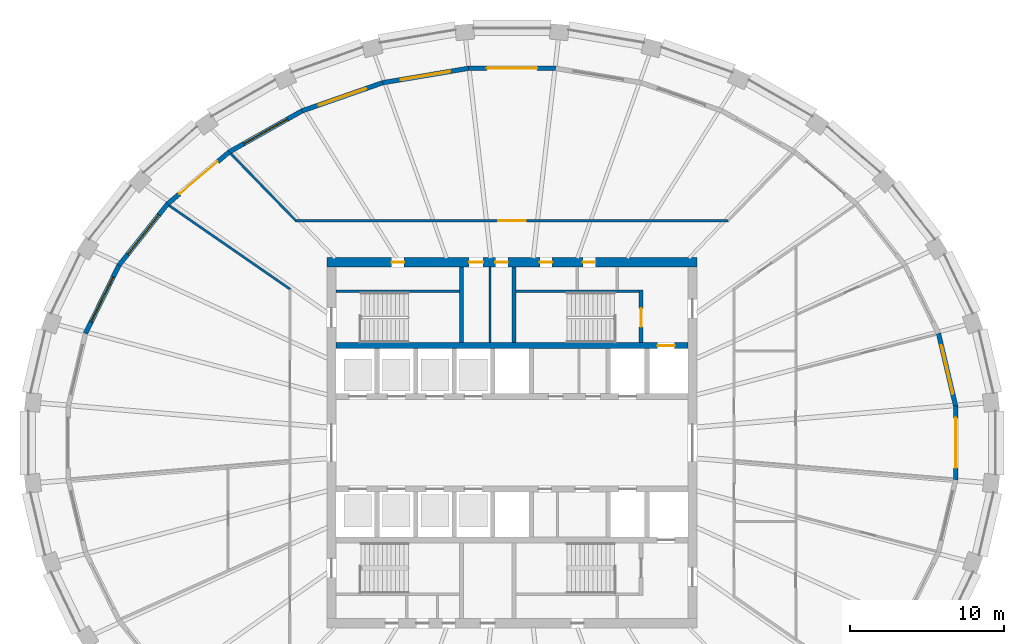
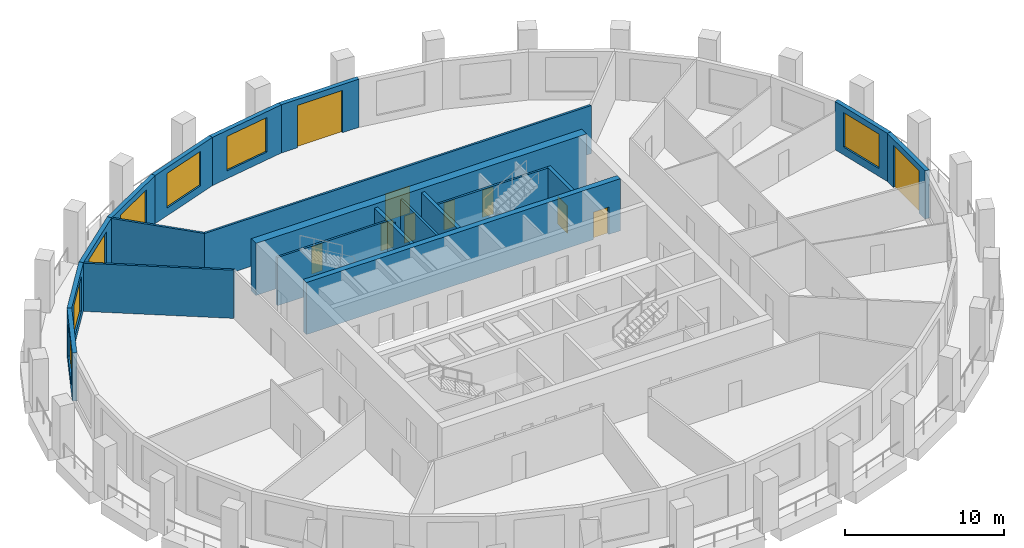
# One storey, part 6 of 11: 20 walls, 11 doors, 6 windows, 17 openings.
"""IFC4 building model written with IfcOpenShell, lengths in metres."""

from ifc_helpers import new_model, si_unit, direction, frame, frame_2d, origin, place, context, subcontext, project, spatial, polyline, rectangle, outline, extrude, material, layer, layer_set, type_object, element, fill, save


model = new_model("IFC4")

# Units and contexts
model_context = context("Model", 3, precision=1e-05, world=origin(), true_north=direction((0.0, 1.0)))
body_context = subcontext(model_context, "Body", "Model", "MODEL_VIEW")
ifc_project = project(units=[si_unit("LENGTHUNIT", "METRE"), si_unit("AREAUNIT", "SQUARE_METRE"), si_unit("VOLUMEUNIT", "CUBIC_METRE"), si_unit("PLANEANGLEUNIT", "RADIAN"), si_unit("MASSUNIT", "GRAM", prefix="KILO")], contexts=[model_context])

# Site, building, storey
site_placement = place(None, origin())
site = spatial("IfcSite", under=ifc_project, at=site_placement, CompositionType="ELEMENT")
building_placement = place(site_placement, origin())
building = spatial("IfcBuilding", under=site, at=building_placement, Name="Halqa Exchange Tower", CompositionType="ELEMENT")
storey_placement = place(building_placement, frame((0.0, 0.0, 234.89990234375)))
storey = spatial("IfcBuildingStorey", under=building, at=storey_placement, Name="L54", CompositionType="ELEMENT", Elevation=234.89990234375)

# Walls
ifc_material_1 = material(Name="Fire-rated gypsum board")
ifc_layer_1 = layer(ifc_material_1, 0.14990234375)
ifc_layer_set_1 = layer_set([ifc_layer_1], Name="Fire-rated gypsum board")
wall_type_1 = type_object("IfcWallType", Name="Fire partition EI 60 150", PredefinedType="PARTITIONING", material=ifc_layer_set_1)
wall_1_placement = place(storey_placement, frame((-18.242431640625, 18.746826171875, 0.0), z_axis=(0.0, 0.0, 1.0), x_axis=(0.697616683155, -0.716471188105, 0.0)))
element("IfcWall", 1, at=wall_1_placement, inside=storey, type_object=wall_type_1, Name="L54-PWL-004", PredefinedType="PARTITIONING", context=body_context, shape_type="SweptSolid", body=[
    extrude(outline(polyline([(0.0, -0.074951171875), (1.524658203125, -0.074951171875), (3.04931640625, -0.074951171875), (4.573974609375, -0.074951171875), (6.0986328125, -0.074951171875), (6.06689453125, 0.0), (6.035400390625, 0.074951171875), (4.532958984375, 0.074951171875), (3.030517578125, 0.074951171875), (1.52783203125, 0.074951171875), (0.025390625, 0.074951171875), (0.005126953125, -0.002197265625), (0.0, -0.07177734375), (0.0, -0.074951171875)])), origin(), (0.0, 0.0, 1.0), 3.7001953125),
])
wall_2_placement = place(storey_placement, frame((-14.36767578125, 9.947509765625, 0.0), z_axis=(0.0, 0.0, 1.0), x_axis=(-0.822511136101, 0.568749005265, 0.0)))
element("IfcWall", 2, at=wall_2_placement, inside=storey, type_object=wall_type_1, Name="L54-PWL-007", PredefinedType="PARTITIONING", context=body_context, shape_type="SweptSolid", body=[
    extrude(outline(polyline([(0.000244140625, -0.074951171875), (1.90673828125, -0.074951171875), (3.8134765625, -0.074951171875), (5.72021484375, -0.074951171875), (7.626708984375, -0.074951171875), (9.533447265625, -0.074951171875), (9.553955078125, 0.00048828125), (9.558349609375, 0.068603515625), (9.558349609375, 0.074951171875), (7.662353515625, 0.074951171875), (5.7666015625, 0.074951171875), (3.87060546875, 0.074951171875), (1.974609375, 0.074951171875), (0.07861328125, 0.074951171875), (0.07861328125, 0.074951171875), (0.07861328125, 0.074951171875), (0.039306640625, 0.0), (0.000244140625, -0.074951171875)])), origin(), (0.0, 0.0, 1.0), 3.7001953125),
])

# Wall, opening, door
wall_3_placement = place(storey_placement, frame((-14.041748046875, 14.39990234375, 0.0), z_axis=(0.0, 0.0, 1.0), x_axis=(1.0, 0.0, 0.0)))
wall_3 = element("IfcWall", 3, at=wall_3_placement, inside=storey, type_object=wall_type_1, Name="L54-PWL-010", PredefinedType="PARTITIONING", context=body_context, shape_type="SweptSolid", body=[
    extrude(outline(polyline([(0.0, -0.074951171875), (1.872314453125, -0.074951171875), (3.74462890625, -0.074951171875), (5.61669921875, -0.074951171875), (7.489013671875, -0.074951171875), (9.361083984375, -0.074951171875), (11.2333984375, -0.074951171875), (13.105712890625, -0.074951171875), (14.977783203125, -0.074951171875), (16.85009765625, -0.074951171875), (18.722412109375, -0.074951171875), (20.594482421875, -0.074951171875), (22.466796875, -0.074951171875), (24.3388671875, -0.074951171875), (26.211181640625, -0.074951171875), (28.08349609375, -0.074951171875), (28.020263671875, 0.074951171875), (26.023193359375, 0.074951171875), (24.0263671875, 0.074951171875), (22.029296875, 0.074951171875), (20.032470703125, 0.074951171875), (18.03564453125, 0.074951171875), (16.03857421875, 0.074951171875), (14.041748046875, 0.074951171875), (12.044921875, 0.074951171875), (10.0478515625, 0.074951171875), (8.051025390625, 0.074951171875), (6.05419921875, 0.074951171875), (4.05712890625, 0.074951171875), (2.060302734375, 0.074951171875), (0.063232421875, 0.074951171875), (0.0, -0.074951171875)])), origin(), (0.0, 0.0, 1.0), 3.7001953125),
])
opening_1_placement = place(wall_3_placement, frame((13.1416015625, 0.0, 0.0)))
opening_1 = element("IfcOpeningElement", 4, at=opening_1_placement, cuts=wall_3, Name="Opening 16-01", PredefinedType="OPENING", context=body_context, shape_type="SweptSolid", body=[
    extrude(rectangle(XDim=1.800048828125, YDim=2.10009765625, at=frame_2d((0.89990234375, 1.050048828125))), frame((0.0, 0.0869140625, 0.0), z_axis=(0.0, -1.0, 0.0), x_axis=(1.0, 0.0, 0.0)), (0.0, 0.0, 1.0), 0.173828125),
])
ifc_material_2 = material(Name="Steel fire door leaf", Category="steel")
door_type_1 = type_object("IfcDoorType", Name="Fire door FD30S double 1800 x 2100", OperationType="DOUBLE_DOOR_SINGLE_SWING", PredefinedType="DOOR", material=ifc_material_2)
door_1_placement = place(opening_1_placement, origin())
door_1 = element("IfcDoor", 5, at=door_1_placement, inside=storey, type_object=door_type_1, Name="L54-IDR-001", OperationType="DOUBLE_DOOR_SINGLE_SWING", OverallHeight=2.10009765625, OverallWidth=1.800048828125, PredefinedType="DOOR", context=body_context, shape_type="SweptSolid", body=[
    extrude(rectangle(XDim=1.800048828125, YDim=2.10009765625, at=frame_2d((0.89990234375, 1.050048828125))), frame((0.0, 0.02490234375, 0.0), z_axis=(0.0, -1.0, 0.0), x_axis=(1.0, 0.0, 0.0)), (0.0, 0.0, 1.0), 0.050048828125),
])
fill(opening_1, door_1)

# Wall
ifc_material_3 = material(Name="Gypsum board")
ifc_layer_2 = layer(ifc_material_3, 0.14990234375)
ifc_layer_set_2 = layer_set([ifc_layer_2], Name="Gypsum board")
wall_type_2 = type_object("IfcWallType", Name="Penthouse riser wall 150 gypsum", PredefinedType="PARTITIONING", material=ifc_layer_set_2)
wall_4_placement = place(storey_placement, frame((-1.425048828125, 6.5, 0.0), z_axis=(0.0, 0.0, 1.0), x_axis=(0.0, 1.0, 0.0)))
element("IfcWall", 6, at=wall_4_placement, inside=storey, type_object=wall_type_2, Name="Partition W1.425 N", PredefinedType="PARTITIONING", context=body_context, shape_type="SweptSolid", body=[
    extrude(rectangle(XDim=4.89990234375, YDim=0.14990234375, at=frame_2d((2.449951171875, 0.0))), origin(), (0.0, 0.0, 1.0), 3.7001953125),
])

# Wall, opening, door
ifc_material_4 = material(Name="Concrete C70/85", Category="concrete")
ifc_layer_3 = layer(ifc_material_4, 0.39990234375)
ifc_layer_set_3 = layer_set([ifc_layer_3], Name="Concrete C70/85")
wall_type_3 = type_object("IfcWallType", Name="RC core wall 400 C70/85", PredefinedType="SHEAR", material=ifc_layer_set_3)
wall_5_placement = place(storey_placement, frame((-11.39990234375, 6.300048828125, 0.0), z_axis=(0.0, 0.0, 1.0), x_axis=(1.0, 0.0, 0.0)))
wall_5 = element("IfcWall", 7, at=wall_5_placement, inside=storey, type_object=wall_type_3, Name="Lift row back wall N", PredefinedType="SHEAR", context=body_context, shape_type="SweptSolid", body=[
    extrude(rectangle(XDim=22.7998046875, YDim=0.39990234375, at=frame_2d((11.39990234375, 0.0))), origin(), (0.0, 0.0, 1.0), 4.0),
])
opening_2_placement = place(wall_5_placement, frame((20.85009765625, 0.0, 0.0)))
opening_2 = element("IfcOpeningElement", 8, at=opening_2_placement, cuts=wall_5, Name="Opening LD-FF1-T16", PredefinedType="OPENING", context=body_context, shape_type="SweptSolid", body=[
    extrude(rectangle(XDim=1.10009765625, YDim=2.10009765625, at=frame_2d((0.550048828125, 1.050048828125))), frame((0.0, 0.2119140625, 0.0), z_axis=(0.0, -1.0, 0.0), x_axis=(1.0, 0.0, 0.0)), (0.0, 0.0, 1.0), 0.423828125),
])
ifc_material_5 = material(Name="Stainless steel", Category="steel")
door_type_2 = type_object("IfcDoorType", Name="Lift landing door 1100 x 2100", OperationType="SLIDING_TO_LEFT", PredefinedType="DOOR", material=ifc_material_5)
door_2_placement = place(opening_2_placement, origin())
door_2 = element("IfcDoor", 9, at=door_2_placement, inside=storey, type_object=door_type_2, Name="Lift landing door FF1", OperationType="SLIDING_TO_LEFT", OverallHeight=2.10009765625, OverallWidth=1.10009765625, PredefinedType="DOOR", context=body_context, shape_type="SweptSolid", body=[
    extrude(rectangle(XDim=1.10009765625, YDim=2.10009765625, at=frame_2d((0.550048828125, 1.050048828125))), frame((0.0, 0.02490234375, 0.0), z_axis=(0.0, -1.0, 0.0), x_axis=(1.0, 0.0, 0.0)), (0.0, 0.0, 1.0), 0.050048828125),
])
fill(opening_2, door_2)

# Wall, openings, doors
ifc_layer_4 = layer(ifc_material_4, 0.60009765625)
ifc_layer_set_4 = layer_set([ifc_layer_4], Name="Concrete C70/85")
wall_type_4 = type_object("IfcWallType", Name="RC core wall 600 C70/85", PredefinedType="SHEAR", material=ifc_layer_set_4)
wall_6_placement = place(storey_placement, frame((-12.0, 11.699951171875, 0.0), z_axis=(0.0, 0.0, 1.0), x_axis=(1.0, 0.0, 0.0)))
wall_6 = element("IfcWall", 10, at=wall_6_placement, inside=storey, type_object=wall_type_4, Name="Core wall north", PredefinedType="SHEAR", context=body_context, shape_type="SweptSolid", body=[
    extrude(rectangle(XDim=24.0, YDim=0.60009765625, at=frame_2d((12.0, 0.0))), origin(), (0.0, 0.0, 1.0), 4.0),
])
opening_3_placement = place(wall_6_placement, frame((9.22509765625, 0.0, 0.0)))
opening_3 = element("IfcOpeningElement", 11, at=opening_3_placement, cuts=wall_6, Name="Opening T16-C21", PredefinedType="OPENING", context=body_context, shape_type="SweptSolid", body=[
    extrude(rectangle(XDim=0.89990234375, YDim=2.10009765625, at=frame_2d((0.449951171875, 1.050048828125))), frame((0.0, 0.31201171875, 0.0), z_axis=(0.0, -1.0, 0.0), x_axis=(1.0, 0.0, 0.0)), (0.0, 0.0, 1.0), 0.6240234375),
])
opening_4_placement = place(wall_6_placement, frame((10.925048828125, 0.0, 0.0)))
opening_4 = element("IfcOpeningElement", 12, at=opening_4_placement, cuts=wall_6, Name="Opening T16-C22", PredefinedType="OPENING", context=body_context, shape_type="SweptSolid", body=[
    extrude(rectangle(XDim=0.800048828125, YDim=2.10009765625, at=frame_2d((0.39990234375, 1.050048828125))), frame((0.0, 0.31201171875, 0.0), z_axis=(0.0, -1.0, 0.0), x_axis=(1.0, 0.0, 0.0)), (0.0, 0.0, 1.0), 0.6240234375),
])
opening_5_placement = place(wall_6_placement, frame((4.199951171875, 0.0, 0.0)))
opening_5 = element("IfcOpeningElement", 13, at=opening_5_placement, cuts=wall_6, Name="Opening T16-C23", PredefinedType="OPENING", context=body_context, shape_type="SweptSolid", body=[
    extrude(rectangle(XDim=0.800048828125, YDim=2.10009765625, at=frame_2d((0.39990234375, 1.050048828125))), frame((0.0, 0.31201171875, 0.0), z_axis=(0.0, -1.0, 0.0), x_axis=(1.0, 0.0, 0.0)), (0.0, 0.0, 1.0), 0.6240234375),
])
opening_6_placement = place(wall_6_placement, frame((13.800048828125, 0.0, 0.0)))
opening_6 = element("IfcOpeningElement", 14, at=opening_6_placement, cuts=wall_6, Name="Opening T16-C24", PredefinedType="OPENING", context=body_context, shape_type="SweptSolid", body=[
    extrude(rectangle(XDim=0.800048828125, YDim=2.10009765625, at=frame_2d((0.39990234375, 1.050048828125))), frame((0.0, 0.31201171875, 0.0), z_axis=(0.0, -1.0, 0.0), x_axis=(1.0, 0.0, 0.0)), (0.0, 0.0, 1.0), 0.6240234375),
])
opening_7_placement = place(wall_6_placement, frame((16.60009765625, 0.0, 0.0)))
opening_7 = element("IfcOpeningElement", 15, at=opening_7_placement, cuts=wall_6, Name="Opening T16-C25", PredefinedType="OPENING", context=body_context, shape_type="SweptSolid", body=[
    extrude(rectangle(XDim=0.800048828125, YDim=2.10009765625, at=frame_2d((0.39990234375, 1.050048828125))), frame((0.0, 0.31201171875, 0.0), z_axis=(0.0, -1.0, 0.0), x_axis=(1.0, 0.0, 0.0)), (0.0, 0.0, 1.0), 0.6240234375),
])
ifc_material_6 = material(Name="Timber fire door leaf", Category="wood")
door_type_3 = type_object("IfcDoorType", Name="Core room door FD30 900 x 2100", OperationType="SINGLE_SWING_LEFT", PredefinedType="DOOR", material=ifc_material_6)
door_3_placement = place(opening_3_placement, frame((0.89990234375, 0.0, 0.0), z_axis=(0.0, 0.0, 1.0), x_axis=(-1.0, 0.0, 0.0)))
door_3 = element("IfcDoor", 16, at=door_3_placement, inside=storey, type_object=door_type_3, Name="Core room door", OperationType="SINGLE_SWING_RIGHT", OverallHeight=2.10009765625, OverallWidth=0.89990234375, PredefinedType="DOOR", context=body_context, shape_type="SweptSolid", body=[
    extrude(rectangle(XDim=0.89990234375, YDim=2.10009765625, at=frame_2d((0.449951171875, 1.050048828125))), frame((0.0, 0.02490234375, 0.0), z_axis=(0.0, -1.0, 0.0), x_axis=(1.0, 0.0, 0.0)), (0.0, 0.0, 1.0), 0.050048828125),
])
fill(opening_3, door_3)
door_type_4 = type_object("IfcDoorType", Name="Riser door FD60 800 x 2100", OperationType="SINGLE_SWING_LEFT", PredefinedType="DOOR", material=ifc_material_2)
door_4_placement = place(opening_4_placement, frame((0.800048828125, 0.0, 0.0), z_axis=(0.0, 0.0, 1.0), x_axis=(-1.0, 0.0, 0.0)))
door_4 = element("IfcDoor", 17, at=door_4_placement, inside=storey, type_object=door_type_4, Name="Core room door", OperationType="SINGLE_SWING_RIGHT", OverallHeight=2.10009765625, OverallWidth=0.800048828125, PredefinedType="DOOR", context=body_context, shape_type="SweptSolid", body=[
    extrude(rectangle(XDim=0.800048828125, YDim=2.10009765625, at=frame_2d((0.39990234375, 1.050048828125))), frame((0.0, 0.02490234375, 0.0), z_axis=(0.0, -1.0, 0.0), x_axis=(1.0, 0.0, 0.0)), (0.0, 0.0, 1.0), 0.050048828125),
])
fill(opening_4, door_4)
door_5_placement = place(opening_5_placement, frame((0.800048828125, 0.0, 0.0), z_axis=(0.0, 0.0, 1.0), x_axis=(-1.0, 0.0, 0.0)))
door_5 = element("IfcDoor", 18, at=door_5_placement, inside=storey, type_object=door_type_4, Name="Core room door", OperationType="SINGLE_SWING_RIGHT", OverallHeight=2.10009765625, OverallWidth=0.800048828125, PredefinedType="DOOR", context=body_context, shape_type="SweptSolid", body=[
    extrude(rectangle(XDim=0.800048828125, YDim=2.10009765625, at=frame_2d((0.39990234375, 1.050048828125))), frame((0.0, 0.02490234375, 0.0), z_axis=(0.0, -1.0, 0.0), x_axis=(1.0, 0.0, 0.0)), (0.0, 0.0, 1.0), 0.050048828125),
])
fill(opening_5, door_5)
door_6_placement = place(opening_6_placement, frame((0.800048828125, 0.0, 0.0), z_axis=(0.0, 0.0, 1.0), x_axis=(-1.0, 0.0, 0.0)))
door_6 = element("IfcDoor", 19, at=door_6_placement, inside=storey, type_object=door_type_4, Name="Core room door", OperationType="SINGLE_SWING_LEFT", OverallHeight=2.10009765625, OverallWidth=0.800048828125, PredefinedType="DOOR", context=body_context, shape_type="SweptSolid", body=[
    extrude(rectangle(XDim=0.800048828125, YDim=2.10009765625, at=frame_2d((0.39990234375, 1.050048828125))), frame((0.0, 0.02490234375, 0.0), z_axis=(0.0, -1.0, 0.0), x_axis=(1.0, 0.0, 0.0)), (0.0, 0.0, 1.0), 0.050048828125),
])
fill(opening_6, door_6)
door_7_placement = place(opening_7_placement, frame((0.800048828125, 0.0, 0.0), z_axis=(0.0, 0.0, 1.0), x_axis=(-1.0, 0.0, 0.0)))
door_7 = element("IfcDoor", 20, at=door_7_placement, inside=storey, type_object=door_type_4, Name="Core room door", OperationType="SINGLE_SWING_LEFT", OverallHeight=2.10009765625, OverallWidth=0.800048828125, PredefinedType="DOOR", context=body_context, shape_type="SweptSolid", body=[
    extrude(rectangle(XDim=0.800048828125, YDim=2.10009765625, at=frame_2d((0.39990234375, 1.050048828125))), frame((0.0, 0.02490234375, 0.0), z_axis=(0.0, -1.0, 0.0), x_axis=(1.0, 0.0, 0.0)), (0.0, 0.0, 1.0), 0.050048828125),
])
fill(opening_7, door_7)

# Walls
ifc_material_7 = material(Name="Concrete C30/37", Category="concrete")
ifc_layer_5 = layer(ifc_material_7, 0.14990234375)
ifc_layer_set_5 = layer_set([ifc_layer_5], Name="Concrete C30/37")
wall_type_5 = type_object("IfcWallType", Name="RC stair wall 150 C30/37", PredefinedType="SHEAR", material=ifc_layer_set_5)
for number, where, z_axis, x_axis, name in (
    (21, (-11.39990234375, 9.824951171875, 0.0), (0.0, 0.0, 1.0), (1.0, 0.0, 0.0), "Stair ST1 north wall N"),
    (22, (0.25, 9.824951171875, 0.0), (0.0, 0.0, 1.0), (1.0, 0.0, 0.0), "Stair ST2 north wall N"),
):
    element("IfcWall", number, at=place(storey_placement, frame(where, z_axis=z_axis, x_axis=x_axis)), inside=storey, type_object=wall_type_5, Name=name, PredefinedType="SHEAR", context=body_context, shape_type="SweptSolid", body=[
        extrude(rectangle(XDim=8.0, YDim=0.14990234375, at=frame_2d((4.0, 0.0))), origin(), (0.0, 0.0, 1.0), 3.7001953125),
    ])
ifc_layer_6 = layer(ifc_material_7, 0.25)
ifc_layer_set_6 = layer_set([ifc_layer_6], Name="Concrete C30/37")
wall_type_6 = type_object("IfcWallType", Name="RC stair wall 250 C30/37", PredefinedType="SHEAR", material=ifc_layer_set_6)
for number, where, z_axis, x_axis, name in (
    (23, (-3.27490234375, 6.5, 0.0), (0.0, 0.0, 1.0), (0.0, 1.0, 0.0), "Stair ST1 east wall N"),
    (24, (0.125, 6.5, 0.0), (0.0, 0.0, 1.0), (0.0, 1.0, 0.0), "Stair ST2 west wall N"),
):
    element("IfcWall", number, at=place(storey_placement, frame(where, z_axis=z_axis, x_axis=x_axis)), inside=storey, type_object=wall_type_6, Name=name, PredefinedType="SHEAR", context=body_context, shape_type="SweptSolid", body=[
        extrude(rectangle(XDim=4.89990234375, YDim=0.25, at=frame_2d((2.449951171875, 0.0))), origin(), (0.0, 0.0, 1.0), 3.7001953125),
    ])

# Wall, opening, door
wall_7_placement = place(storey_placement, frame((8.375, 6.5, 0.0), z_axis=(0.0, 0.0, 1.0), x_axis=(0.0, 1.0, 0.0)))
wall_7 = element("IfcWall", 25, at=wall_7_placement, inside=storey, type_object=wall_type_6, Name="Stair ST2 east wall N", PredefinedType="SHEAR", context=body_context, shape_type="SweptSolid", body=[
    extrude(rectangle(XDim=3.39990234375, YDim=0.25, at=frame_2d((1.699951171875, 0.0))), origin(), (0.0, 0.0, 1.0), 3.7001953125),
])
opening_8_placement = place(wall_7_placement, frame((1.02490234375, 0.0, 0.0)))
opening_8 = element("IfcOpeningElement", 26, at=opening_8_placement, cuts=wall_7, Name="Opening T16-C16", PredefinedType="OPENING", context=body_context, shape_type="SweptSolid", body=[
    extrude(rectangle(XDim=1.199951171875, YDim=2.10009765625, at=frame_2d((0.60009765625, 1.050048828125))), frame((0.0, 0.136962890625, 0.0), z_axis=(0.0, -1.0, 0.0), x_axis=(1.0, 0.0, 0.0)), (0.0, 0.0, 1.0), 0.27392578125),
])
door_type_5 = type_object("IfcDoorType", Name="Stair door FD90 1200 x 2100", OperationType="SINGLE_SWING_LEFT", PredefinedType="DOOR", material=ifc_material_2)
door_8_placement = place(opening_8_placement, origin())
door_8 = element("IfcDoor", 27, at=door_8_placement, inside=storey, type_object=door_type_5, Name="Stair door ST2", OperationType="SINGLE_SWING_LEFT", OverallHeight=2.10009765625, OverallWidth=1.199951171875, PredefinedType="DOOR", context=body_context, shape_type="SweptSolid", body=[
    extrude(rectangle(XDim=1.199951171875, YDim=2.10009765625, at=frame_2d((0.60009765625, 1.050048828125))), frame((0.0, 0.02490234375, 0.0), z_axis=(0.0, -1.0, 0.0), x_axis=(1.0, 0.0, 0.0)), (0.0, 0.0, 1.0), 0.050048828125),
])
fill(opening_8, door_8)

# Wall, opening, window
ifc_material_8 = material(Name="Limestone cladding", Category="masonry")
ifc_layer_7 = layer(ifc_material_8, 0.0400390625)
ifc_material_9 = material(Name="Ventilated cavity")
ifc_layer_8 = layer(ifc_material_9, 0.030029296875, ventilated=True)
ifc_material_10 = material(Name="Mineral wool insulation")
ifc_layer_9 = layer(ifc_material_10, 0.10009765625)
ifc_layer_10 = layer(ifc_material_7, 0.10009765625)
ifc_material_11 = material(Name="Internal plaster")
ifc_layer_11 = layer(ifc_material_11, 0.030029296875)
ifc_layer_set_7 = layer_set([ifc_layer_7, ifc_layer_8, ifc_layer_9, ifc_layer_10, ifc_layer_11], Name="Stone-faced insulated wall 300")
wall_type_7 = type_object("IfcWallType", Name="Stone-faced insulated wall 300", PredefinedType="STANDARD", material=ifc_layer_set_7)
wall_8_placement = place(storey_placement, frame((28.76416015625, 2.393798828125, 0.0), z_axis=(0.0, 0.0, 1.0), x_axis=(-0.229617574796, 0.97328093033, 0.0)))
wall_8 = element("IfcWall", 28, at=wall_8_placement, inside=storey, type_object=wall_type_7, Name="Glass-line wall 1", PredefinedType="STANDARD", context=body_context, shape_type="SweptSolid", body=[
    extrude(outline(polyline([(-0.017333984375, -0.14990234375), (4.8408203125, -0.14990234375), (4.80712890625, 0.14990234375), (0.017333984375, 0.14990234375), (-0.017333984375, -0.14990234375)])), origin(), (0.0, 0.0, 1.0), 3.7001953125),
])
opening_9_placement = place(wall_8_placement, frame((0.786865234375, 0.0, 0.60009765625)))
opening_9 = element("IfcOpeningElement", 29, at=opening_9_placement, cuts=wall_8, Name="Opening W-F3-01", PredefinedType="OPENING", context=body_context, shape_type="SweptSolid", body=[
    extrude(rectangle(XDim=3.25, YDim=2.64990234375, at=frame_2d((1.625, 1.324951171875))), frame((0.0, 0.162109375, 0.0), z_axis=(0.0, -1.0, 0.0), x_axis=(1.0, 0.0, 0.0)), (0.0, 0.0, 1.0), 0.323974609375),
])
ifc_material_12 = material(Name="Clear low-emissivity glass in aluminium frame", Category="aluminium")
window_type = type_object("IfcWindowType", Name="Fixed clear glazed window 3250 x 2650", PartitioningType="TRIPLE_PANEL_VERTICAL", PredefinedType="WINDOW", material=ifc_material_12)
window_1_placement = place(opening_9_placement, origin())
window_1 = element("IfcWindow", 30, at=window_1_placement, inside=storey, type_object=window_type, Name="Window 3", OverallHeight=2.64990234375, OverallWidth=3.25, PartitioningType="TRIPLE_PANEL_VERTICAL", PredefinedType="WINDOW", context=body_context, shape_type="SweptSolid", body=[
    extrude(rectangle(XDim=3.25, YDim=2.64990234375, at=frame_2d((1.625, 1.324951171875))), frame((0.0, 0.030029296875, 0.0), z_axis=(0.0, -1.0, 0.0), x_axis=(1.0, 0.0, 0.0)), (0.0, 0.0, 1.0), 0.06005859375),
])
fill(opening_9, window_1)

# Wall, opening, door
wall_9_placement = place(storey_placement, frame((2.830810546875, 24.2783203125, 0.0), z_axis=(0.0, 0.0, 1.0), x_axis=(-1.0, 0.0, 0.0)))
wall_9 = element("IfcWall", 31, at=wall_9_placement, inside=storey, type_object=wall_type_7, Name="Glass-line wall 8", PredefinedType="STANDARD", context=body_context, shape_type="SweptSolid", body=[
    extrude(outline(polyline([(-0.012451171875, -0.14990234375), (5.674072265625, -0.14990234375), (5.649169921875, 0.14990234375), (0.012451171875, 0.14990234375), (-0.012451171875, -0.14990234375)])), origin(), (0.0, 0.0, 1.0), 3.7001953125),
])
opening_10_placement = place(wall_9_placement, frame((1.205810546875, 0.0, 0.0)))
opening_10 = element("IfcOpeningElement", 32, at=opening_10_placement, cuts=wall_9, Name="Opening LG-F3-02", PredefinedType="OPENING", context=body_context, shape_type="SweptSolid", body=[
    extrude(rectangle(XDim=3.25, YDim=3.25, at=frame_2d((1.625, 1.625))), frame((0.0, 0.162109375, 0.0), z_axis=(0.0, -1.0, 0.0), x_axis=(1.0, 0.0, 0.0)), (0.0, 0.0, 1.0), 0.323974609375),
])
door_type_6 = type_object("IfcDoorType", Name="Glazed sliding loggia door 3250 x 3250", OperationType="DOUBLE_DOOR_SLIDING", PredefinedType="DOOR", material=ifc_material_12)
door_9_placement = place(opening_10_placement, origin())
door_9 = element("IfcDoor", 33, at=door_9_placement, inside=storey, type_object=door_type_6, Name="Loggia door 2", OperationType="DOUBLE_DOOR_SLIDING", OverallHeight=3.25, OverallWidth=3.25, PredefinedType="DOOR", context=body_context, shape_type="SweptSolid", body=[
    extrude(rectangle(XDim=3.25, YDim=3.25, at=frame_2d((1.625, 1.625))), frame((0.0, 0.02490234375, 0.0), z_axis=(0.0, -1.0, 0.0), x_axis=(1.0, 0.0, 0.0)), (0.0, 0.0, 1.0), 0.050048828125),
])
fill(opening_10, door_9)

# Wall, opening, window
wall_10_placement = place(storey_placement, frame((-2.830810546875, 24.2783203125, 0.0), z_axis=(0.0, 0.0, 1.0), x_axis=(-0.986223472554, -0.165418445715, 0.0)))
wall_10 = element("IfcWall", 34, at=wall_10_placement, inside=storey, type_object=wall_type_7, Name="Glass-line wall 9", PredefinedType="STANDARD", context=body_context, shape_type="SweptSolid", body=[
    extrude(outline(polyline([(-0.012451171875, -0.14990234375), (5.643310546875, -0.14990234375), (5.617919921875, 0.14990234375), (0.012451171875, 0.14990234375), (-0.012451171875, -0.14990234375)])), origin(), (0.0, 0.0, 1.0), 3.7001953125),
])
opening_11_placement = place(wall_10_placement, frame((1.190185546875, 0.0, 0.60009765625)))
opening_11 = element("IfcOpeningElement", 35, at=opening_11_placement, cuts=wall_10, Name="Opening W-F3-09", PredefinedType="OPENING", context=body_context, shape_type="SweptSolid", body=[
    extrude(rectangle(XDim=3.25, YDim=2.64990234375, at=frame_2d((1.625, 1.324951171875))), frame((0.0, 0.162109375, 0.0), z_axis=(0.0, -1.0, 0.0), x_axis=(1.0, 0.0, 0.0)), (0.0, 0.0, 1.0), 0.323974609375),
])
window_2_placement = place(opening_11_placement, origin())
window_2 = element("IfcWindow", 36, at=window_2_placement, inside=storey, type_object=window_type, Name="Window 3", OverallHeight=2.64990234375, OverallWidth=3.25, PartitioningType="TRIPLE_PANEL_VERTICAL", PredefinedType="WINDOW", context=body_context, shape_type="SweptSolid", body=[
    extrude(rectangle(XDim=3.25, YDim=2.64990234375, at=frame_2d((1.625, 1.324951171875))), frame((0.0, 0.030029296875, 0.0), z_axis=(0.0, -1.0, 0.0), x_axis=(1.0, 0.0, 0.0)), (0.0, 0.0, 1.0), 0.06005859375),
])
fill(opening_11, window_2)

wall_11_placement = place(storey_placement, frame((-8.3837890625, 23.346923828125, 0.0), z_axis=(0.0, 0.0, 1.0), x_axis=(-0.944075859918, -0.329728328659, 0.0)))
wall_11 = element("IfcWall", 37, at=wall_11_placement, inside=storey, type_object=wall_type_7, Name="Glass-line wall 10", PredefinedType="STANDARD", context=body_context, shape_type="SweptSolid", body=[
    extrude(outline(polyline([(-0.0126953125, -0.14990234375), (5.5556640625, -0.14990234375), (5.52880859375, 0.14990234375), (0.0126953125, 0.14990234375), (-0.0126953125, -0.14990234375)])), origin(), (0.0, 0.0, 1.0), 3.7001953125),
])
opening_12_placement = place(wall_11_placement, frame((1.14599609375, 0.0, 0.60009765625)))
opening_12 = element("IfcOpeningElement", 38, at=opening_12_placement, cuts=wall_11, Name="Opening W-F3-10", PredefinedType="OPENING", context=body_context, shape_type="SweptSolid", body=[
    extrude(rectangle(XDim=3.25, YDim=2.64990234375, at=frame_2d((1.625, 1.324951171875))), frame((0.0, 0.162109375, 0.0), z_axis=(0.0, -1.0, 0.0), x_axis=(1.0, 0.0, 0.0)), (0.0, 0.0, 1.0), 0.323974609375),
])
window_3_placement = place(opening_12_placement, origin())
window_3 = element("IfcWindow", 39, at=window_3_placement, inside=storey, type_object=window_type, Name="Window 3", OverallHeight=2.64990234375, OverallWidth=3.25, PartitioningType="TRIPLE_PANEL_VERTICAL", PredefinedType="WINDOW", context=body_context, shape_type="SweptSolid", body=[
    extrude(rectangle(XDim=3.25, YDim=2.64990234375, at=frame_2d((1.625, 1.324951171875))), frame((0.0, 0.030029296875, 0.0), z_axis=(0.0, -1.0, 0.0), x_axis=(1.0, 0.0, 0.0)), (0.0, 0.0, 1.0), 0.06005859375),
])
fill(opening_12, window_3)

wall_12_placement = place(storey_placement, frame((-13.615966796875, 21.51953125, 0.0), z_axis=(0.0, 0.0, 1.0), x_axis=(-0.871225596594, -0.490882837181, 0.0)))
wall_12 = element("IfcWall", 40, at=wall_12_placement, inside=storey, type_object=wall_type_7, Name="Glass-line wall 11", PredefinedType="STANDARD", context=body_context, shape_type="SweptSolid", body=[
    extrude(outline(polyline([(-0.013427734375, -0.14990234375), (5.4208984375, -0.14990234375), (5.392578125, 0.14990234375), (0.013427734375, 0.14990234375), (-0.013427734375, -0.14990234375)])), origin(), (0.0, 0.0, 1.0), 3.7001953125),
])
opening_13_placement = place(wall_12_placement, frame((1.078369140625, 0.0, 0.60009765625)))
opening_13 = element("IfcOpeningElement", 41, at=opening_13_placement, cuts=wall_12, Name="Opening W-F3-11", PredefinedType="OPENING", context=body_context, shape_type="SweptSolid", body=[
    extrude(rectangle(XDim=3.25, YDim=2.64990234375, at=frame_2d((1.625, 1.324951171875))), frame((0.0, 0.162109375, 0.0), z_axis=(0.0, -1.0, 0.0), x_axis=(1.0, 0.0, 0.0)), (0.0, 0.0, 1.0), 0.323974609375),
])
window_4_placement = place(opening_13_placement, origin())
window_4 = element("IfcWindow", 42, at=window_4_placement, inside=storey, type_object=window_type, Name="Window 3", OverallHeight=2.64990234375, OverallWidth=3.25, PartitioningType="TRIPLE_PANEL_VERTICAL", PredefinedType="WINDOW", context=body_context, shape_type="SweptSolid", body=[
    extrude(rectangle(XDim=3.25, YDim=2.64990234375, at=frame_2d((1.625, 1.324951171875))), frame((0.0, 0.030029296875, 0.0), z_axis=(0.0, -1.0, 0.0), x_axis=(1.0, 0.0, 0.0)), (0.0, 0.0, 1.0), 0.06005859375),
])
fill(opening_13, window_4)

# Wall, opening, door
wall_13_placement = place(storey_placement, frame((-18.326416015625, 18.865478515625, 0.0), z_axis=(0.0, 0.0, 1.0), x_axis=(-0.764475071601, -0.644653290459, 0.0)))
wall_13 = element("IfcWall", 43, at=wall_13_placement, inside=storey, type_object=wall_type_7, Name="Glass-line wall 12", PredefinedType="STANDARD", context=body_context, shape_type="SweptSolid", body=[
    extrude(outline(polyline([(-0.01416015625, -0.14990234375), (5.2578125, -0.14990234375), (5.2275390625, 0.14990234375), (0.01416015625, 0.14990234375), (-0.01416015625, -0.14990234375)])), origin(), (0.0, 0.0, 1.0), 3.7001953125),
])
opening_14_placement = place(wall_13_placement, frame((0.996337890625, 0.0, 0.0)))
opening_14 = element("IfcOpeningElement", 44, at=opening_14_placement, cuts=wall_13, Name="Opening LG-F3-03", PredefinedType="OPENING", context=body_context, shape_type="SweptSolid", body=[
    extrude(rectangle(XDim=3.25, YDim=3.25, at=frame_2d((1.625, 1.625))), frame((0.0, 0.162109375, 0.0), z_axis=(0.0, -1.0, 0.0), x_axis=(1.0, 0.0, 0.0)), (0.0, 0.0, 1.0), 0.323974609375),
])
door_10_placement = place(opening_14_placement, origin())
door_10 = element("IfcDoor", 45, at=door_10_placement, inside=storey, type_object=door_type_6, Name="Loggia door 3", OperationType="DOUBLE_DOOR_SLIDING", OverallHeight=3.25, OverallWidth=3.25, PredefinedType="DOOR", context=body_context, shape_type="SweptSolid", body=[
    extrude(rectangle(XDim=3.25, YDim=3.25, at=frame_2d((1.625, 1.625))), frame((0.0, 0.02490234375, 0.0), z_axis=(0.0, -1.0, 0.0), x_axis=(1.0, 0.0, 0.0)), (0.0, 0.0, 1.0), 0.050048828125),
])
fill(opening_14, door_10)

# Wall, opening, window
wall_14_placement = place(storey_placement, frame((-22.334228515625, 15.48583984375, 0.0), z_axis=(0.0, 0.0, 1.0), x_axis=(-0.621084984443, -0.783743224596, 0.0)))
wall_14 = element("IfcWall", 46, at=wall_14_placement, inside=storey, type_object=wall_type_7, Name="Glass-line wall 13", PredefinedType="STANDARD", context=body_context, shape_type="SweptSolid", body=[
    extrude(outline(polyline([(-0.01513671875, -0.14990234375), (5.08935546875, -0.14990234375), (5.05712890625, 0.14990234375), (0.01513671875, 0.14990234375), (-0.01513671875, -0.14990234375)])), origin(), (0.0, 0.0, 1.0), 3.7001953125),
])
opening_15_placement = place(wall_14_placement, frame((0.91162109375, 0.0, 0.60009765625)))
opening_15 = element("IfcOpeningElement", 47, at=opening_15_placement, cuts=wall_14, Name="Opening W-F3-13", PredefinedType="OPENING", context=body_context, shape_type="SweptSolid", body=[
    extrude(rectangle(XDim=3.25, YDim=2.64990234375, at=frame_2d((1.625, 1.324951171875))), frame((0.0, 0.162109375, 0.0), z_axis=(0.0, -1.0, 0.0), x_axis=(1.0, 0.0, 0.0)), (0.0, 0.0, 1.0), 0.323974609375),
])
window_5_placement = place(opening_15_placement, origin())
window_5 = element("IfcWindow", 48, at=window_5_placement, inside=storey, type_object=window_type, Name="Window 3", OverallHeight=2.64990234375, OverallWidth=3.25, PartitioningType="TRIPLE_PANEL_VERTICAL", PredefinedType="WINDOW", context=body_context, shape_type="SweptSolid", body=[
    extrude(rectangle(XDim=3.25, YDim=2.64990234375, at=frame_2d((1.625, 1.324951171875))), frame((0.0, 0.030029296875, 0.0), z_axis=(0.0, -1.0, 0.0), x_axis=(1.0, 0.0, 0.0)), (0.0, 0.0, 1.0), 0.06005859375),
])
fill(opening_15, window_5)

wall_15_placement = place(storey_placement, frame((-25.485107421875, 11.509765625, 0.0), z_axis=(0.0, 0.0, 1.0), x_axis=(-0.440857641837, -0.897577038272, 0.0)))
wall_15 = element("IfcWall", 49, at=wall_15_placement, inside=storey, type_object=wall_type_7, Name="Glass-line wall 14", PredefinedType="STANDARD", context=body_context, shape_type="SweptSolid", body=[
    extrude(outline(polyline([(-0.01611328125, -0.14990234375), (4.942138671875, -0.14990234375), (4.908447265625, 0.14990234375), (0.01611328125, 0.14990234375), (-0.01611328125, -0.14990234375)])), origin(), (0.0, 0.0, 1.0), 3.7001953125),
])
opening_16_placement = place(wall_15_placement, frame((0.837646484375, 0.0, 0.60009765625)))
opening_16 = element("IfcOpeningElement", 50, at=opening_16_placement, cuts=wall_15, Name="Opening W-F3-14", PredefinedType="OPENING", context=body_context, shape_type="SweptSolid", body=[
    extrude(rectangle(XDim=3.25, YDim=2.64990234375, at=frame_2d((1.625, 1.324951171875))), frame((0.0, 0.162109375, 0.0), z_axis=(0.0, -1.0, 0.0), x_axis=(1.0, 0.0, 0.0)), (0.0, 0.0, 1.0), 0.323974609375),
])
window_6_placement = place(opening_16_placement, origin())
window_6 = element("IfcWindow", 51, at=window_6_placement, inside=storey, type_object=window_type, Name="Window 3", OverallHeight=2.64990234375, OverallWidth=3.25, PartitioningType="TRIPLE_PANEL_VERTICAL", PredefinedType="WINDOW", context=body_context, shape_type="SweptSolid", body=[
    extrude(rectangle(XDim=3.25, YDim=2.64990234375, at=frame_2d((1.625, 1.324951171875))), frame((0.0, 0.030029296875, 0.0), z_axis=(0.0, -1.0, 0.0), x_axis=(1.0, 0.0, 0.0)), (0.0, 0.0, 1.0), 0.06005859375),
])
fill(opening_16, window_6)

# Wall, opening, door
wall_16_placement = place(storey_placement, frame((28.76416015625, -2.393798828125, 0.0), z_axis=(0.0, 0.0, 1.0), x_axis=(0.0, 1.0, 0.0)))
wall_16 = element("IfcWall", 52, at=wall_16_placement, inside=storey, type_object=wall_type_7, Name="Glass-line wall 32", PredefinedType="STANDARD", context=body_context, shape_type="SweptSolid", body=[
    extrude(outline(polyline([(-0.017333984375, -0.14990234375), (4.804931640625, -0.14990234375), (4.770263671875, 0.14990234375), (0.017333984375, 0.14990234375), (-0.017333984375, -0.14990234375)])), origin(), (0.0, 0.0, 1.0), 3.7001953125),
])
opening_17_placement = place(wall_16_placement, frame((0.768798828125, 0.0, 0.0)))
opening_17 = element("IfcOpeningElement", 53, at=opening_17_placement, cuts=wall_16, Name="Opening LG-F3-08", PredefinedType="OPENING", context=body_context, shape_type="SweptSolid", body=[
    extrude(rectangle(XDim=3.25, YDim=3.25, at=frame_2d((1.625, 1.625))), frame((0.0, 0.162109375, 0.0), z_axis=(0.0, -1.0, 0.0), x_axis=(1.0, 0.0, 0.0)), (0.0, 0.0, 1.0), 0.323974609375),
])
door_11_placement = place(opening_17_placement, origin())
door_11 = element("IfcDoor", 54, at=door_11_placement, inside=storey, type_object=door_type_6, Name="Loggia door 8", OperationType="DOUBLE_DOOR_SLIDING", OverallHeight=3.25, OverallWidth=3.25, PredefinedType="DOOR", context=body_context, shape_type="SweptSolid", body=[
    extrude(rectangle(XDim=3.25, YDim=3.25, at=frame_2d((1.625, 1.625))), frame((0.0, 0.02490234375, 0.0), z_axis=(0.0, -1.0, 0.0), x_axis=(1.0, 0.0, 0.0)), (0.0, 0.0, 1.0), 0.050048828125),
])
fill(opening_17, door_11)

save(model, "model.ifc")
